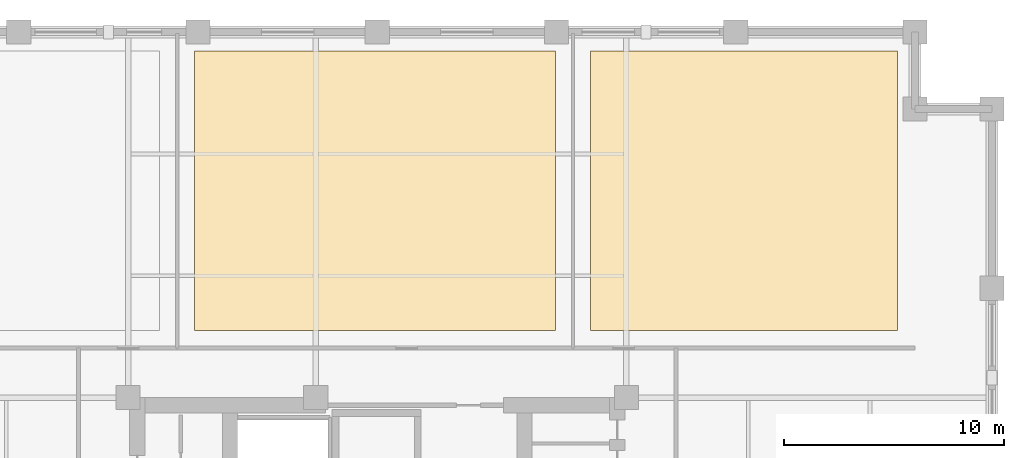
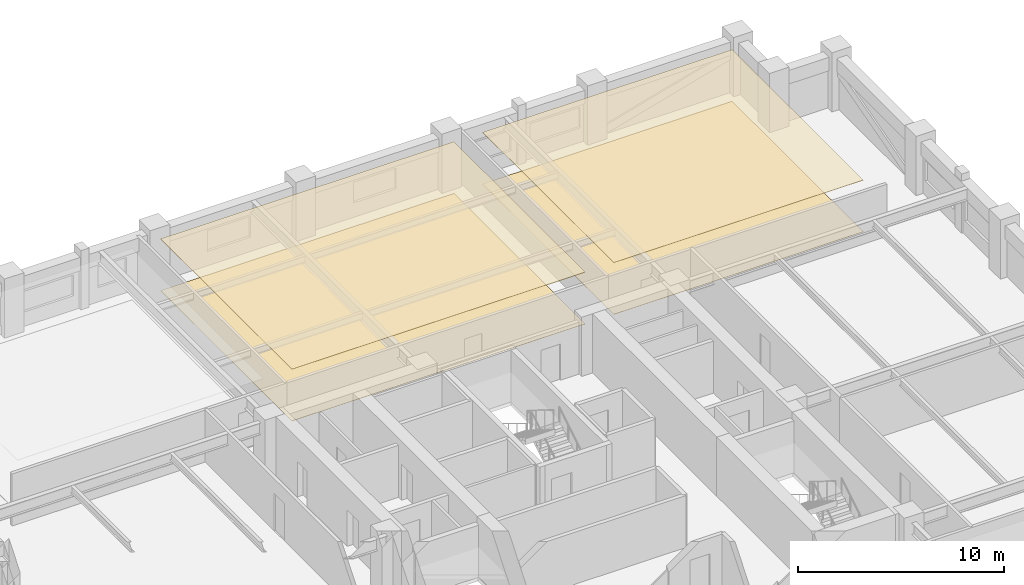
# One storey, part 12 of 12: 4 coverings.
"""IFC4 building model written with IfcOpenShell, lengths in metres."""

from ifc_helpers import new_model, si_unit, direction, frame, origin, place, context, subcontext, project, spatial, polyline, outline, extrude, material, layer, layer_set, type_object, element, save


model = new_model("IFC4")

# Units and contexts
model_context = context("Model", 3, precision=1e-05, world=origin(), true_north=direction((0.0, 1.0)))
body_context = subcontext(model_context, "Body", "Model", "MODEL_VIEW")
ifc_project = project(units=[si_unit("LENGTHUNIT", "METRE"), si_unit("AREAUNIT", "SQUARE_METRE"), si_unit("VOLUMEUNIT", "CUBIC_METRE"), si_unit("PLANEANGLEUNIT", "RADIAN"), si_unit("MASSUNIT", "GRAM", prefix="KILO")], contexts=[model_context])

# Site, building, storey
site_placement = place(None, origin())
site = spatial("IfcSite", under=ifc_project, at=site_placement, CompositionType="ELEMENT")
building_placement = place(site_placement, origin())
building = spatial("IfcBuilding", under=site, at=building_placement, Name="Nhamokura Convention Tower", CompositionType="ELEMENT")
storey_placement = place(building_placement, frame((0.0, 0.0, 96.25)))
storey = spatial("IfcBuildingStorey", under=building, at=storey_placement, Name="L23", CompositionType="ELEMENT", Elevation=96.25)

# Coverings
ifc_material_1 = material(Name="Mineral-fibre acoustic ceiling tile", Category="gypsum")
ifc_layer_1 = layer(ifc_material_1, 0.02490234375)
ifc_layer_set_1 = layer_set([ifc_layer_1], Name="AcousticTileCeiling_25")
covering_type_1 = type_object("IfcCoveringType", Name="AcousticTileCeiling_25", PredefinedType="CEILING", material=ifc_layer_set_1)
covering_1_placement = place(storey_placement, frame((0.0, 0.0, 3.054931640625)))
element("IfcCovering", 1, at=covering_1_placement, inside=storey, type_object=covering_type_1, Name="L23 Suspended Ceiling 04", PredefinedType="CEILING", context=body_context, shape_type="SweptSolid", body=[
    extrude(outline(polyline([(23.683349609375, 46.39990234375), (40.11669921875, 46.39990234375), (40.11669921875, 59.139892578125), (23.683349609375, 59.139892578125), (23.683349609375, 46.39990234375)])), origin(), (0.0, 0.0, 1.0), 0.025146484375),
])
covering_2_placement = place(storey_placement, frame((0.0, 0.0, 3.054931640625)))
element("IfcCovering", 2, at=covering_2_placement, inside=storey, type_object=covering_type_1, Name="L23 Suspended Ceiling 05", PredefinedType="CEILING", context=body_context, shape_type="SweptSolid", body=[
    extrude(outline(polyline([(41.716796875, 46.39990234375), (55.699951171875, 46.39990234375), (55.699951171875, 59.139892578125), (41.716796875, 59.139892578125), (41.716796875, 46.39990234375)])), origin(), (0.0, 0.0, 1.0), 0.025146484375),
])
ifc_material_2 = material(Name="Acoustic woven hospitality carpet", Category="wood")
ifc_layer_2 = layer(ifc_material_2, 0.014892578125)
ifc_layer_set_2 = layer_set([ifc_layer_2], Name="WovenCarpetFlooring_15")
covering_type_2 = type_object("IfcCoveringType", Name="WovenCarpetFlooring_15", PredefinedType="FLOORING", material=ifc_layer_set_2)
covering_3_placement = place(storey_placement, origin())
element("IfcCovering", 3, at=covering_3_placement, inside=storey, type_object=covering_type_2, Name="L23 Finish Flooring 04", PredefinedType="FLOORING", context=body_context, shape_type="SweptSolid", body=[
    extrude(outline(polyline([(23.683349609375, 46.39990234375), (40.11669921875, 46.39990234375), (40.11669921875, 59.139892578125), (23.683349609375, 59.139892578125), (23.683349609375, 46.39990234375)])), origin(), (0.0, 0.0, 1.0), 0.014892578125),
])
covering_4_placement = place(storey_placement, origin())
element("IfcCovering", 4, at=covering_4_placement, inside=storey, type_object=covering_type_2, Name="L23 Finish Flooring 05", PredefinedType="FLOORING", context=body_context, shape_type="SweptSolid", body=[
    extrude(outline(polyline([(41.716796875, 46.39990234375), (55.699951171875, 46.39990234375), (55.699951171875, 59.139892578125), (41.716796875, 59.139892578125), (41.716796875, 46.39990234375)])), origin(), (0.0, 0.0, 1.0), 0.014892578125),
])

save(model, "model.ifc")
